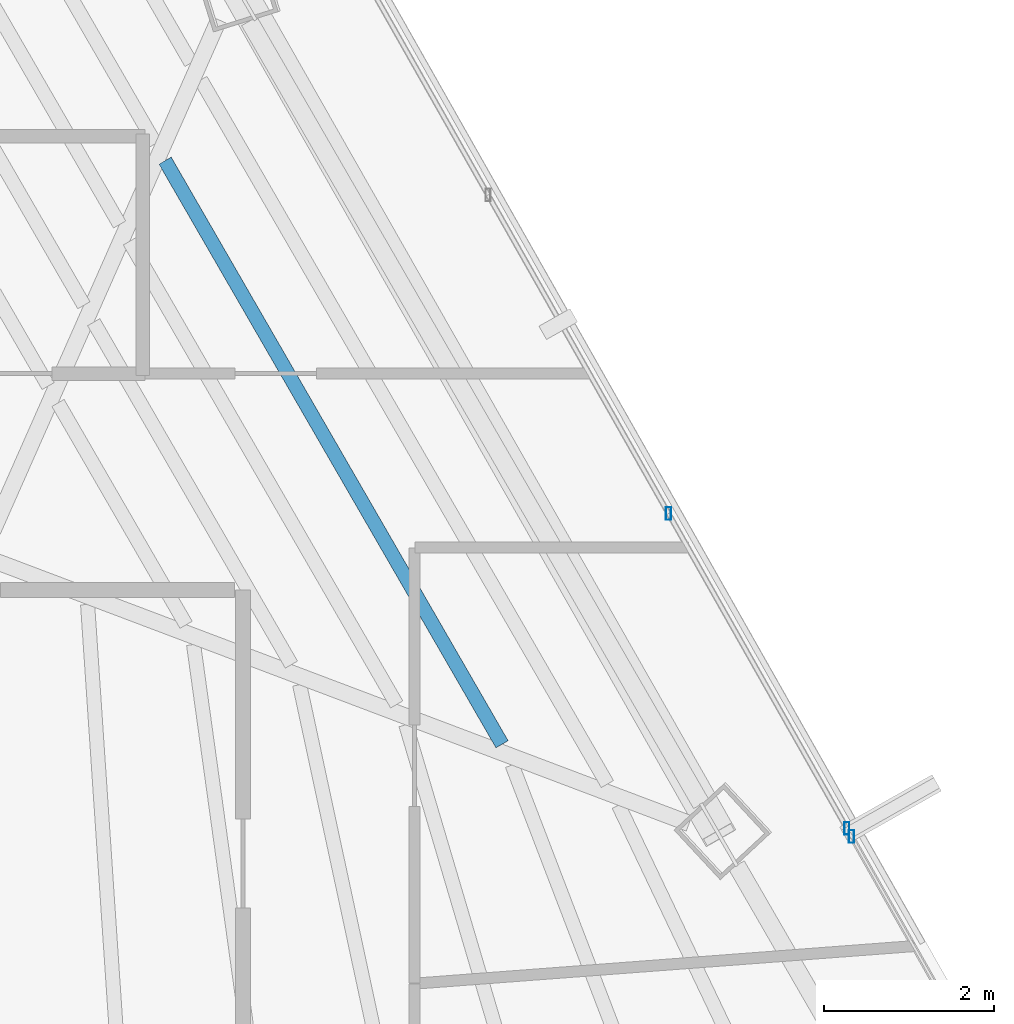
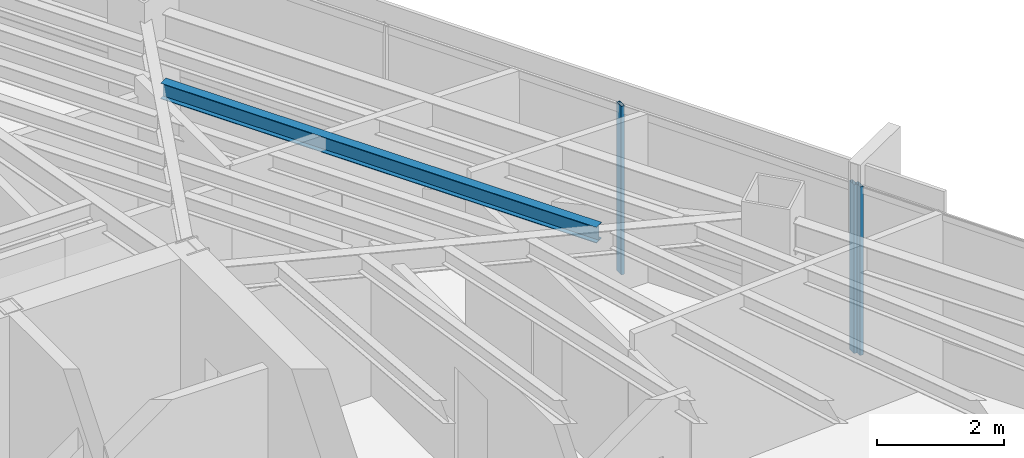
# One storey, part 26 of 40: 3 members, 1 beam, 2 elements without a shape of their own.
"""IFC4 building model written with IfcOpenShell, lengths in metres."""

from ifc_helpers import new_model, si_unit, direction, frame, origin, origin_2d, place, context, subcontext, project, spatial, hollow_rectangle, i_section, extrude, source, transform, mapped, material, material_profile, profile_set, type_object, type_shapes, element, aggregate, save


model = new_model("IFC4")

# Units and contexts
model_context = context("Model", 3, precision=1e-05, world=origin(), true_north=direction((0.0, 1.0)))
body_context = subcontext(model_context, "Body", "Model", "MODEL_VIEW")
ifc_project = project(units=[si_unit("LENGTHUNIT", "METRE"), si_unit("AREAUNIT", "SQUARE_METRE"), si_unit("VOLUMEUNIT", "CUBIC_METRE"), si_unit("PLANEANGLEUNIT", "RADIAN"), si_unit("MASSUNIT", "GRAM", prefix="KILO")], contexts=[model_context])

# Site, building, storey
site_placement = place(None, origin())
site = spatial("IfcSite", under=ifc_project, at=site_placement, CompositionType="ELEMENT")
building_placement = place(site_placement, origin())
building = spatial("IfcBuilding", under=site, at=building_placement, Name="Caelisora Broadcast Tower", CompositionType="ELEMENT")
storey_placement = place(building_placement, frame((0.0, 0.0, 216.89990234375)))
storey = spatial("IfcBuildingStorey", under=building, at=storey_placement, Name="L57", CompositionType="ELEMENT", Elevation=216.89990234375)

# Beam
ifc_material_1 = material(Name="Steel Grade 350 (AS/NZS 3679.1)", Category="steel")
ifc_material_profile_1 = material_profile(ifc_material_1, i_section(OverallWidth=0.166015625, OverallDepth=0.30712890625, WebThickness=0.006591796875, FlangeThickness=0.01171875, at=origin_2d()), Name="Steel Grade 350 (AS/NZS 3679.1)")
ifc_profile_set_1 = profile_set([ifc_material_profile_1], Name="Steel Grade 350 (AS/NZS 3679.1)")
beam_type = type_object("IfcBeamType", Name="SB03", PredefinedType="JOIST", material=ifc_profile_set_1)
shared_shape_1 = source(origin(), body_context, "Body", "SweptSolid", [
    extrude(i_section(OverallWidth=0.166015625, OverallDepth=0.30712890625, WebThickness=0.006591796875, FlangeThickness=0.01171875, at=origin_2d()), origin(), (0.0, 0.0, 1.0), 7.9423828125),
])
type_shapes(beam_type, [shared_shape_1])
beam_placement = place(storey_placement, frame((51.633056640625, 27.781494140625, 3.096435546875), z_axis=(-0.500007166863, 0.866021265955, 0.0), x_axis=(-0.866021265955, -0.500007166863, 0.0)))
element("IfcBeam", 1, at=beam_placement, inside=storey, type_object=beam_type, Name="L57 beam SB03", PredefinedType="JOIST", context=body_context, shape_type="MappedRepresentation", body=[
    mapped(shared_shape_1, transform((0.0, 0.0, 0.0), scale=1.0)),
])

# Curtain wall, members
ifc_material_2 = material(Name="Unitised Aluminium Insulated Shadow-Box Spandrel Curtain Wall", Category="aluminium")
curtain_wall_type_1 = type_object("IfcCurtainWallType", Name="CW-SP2", PredefinedType="NOTDEFINED", material=ifc_material_2)
curtain_wall_1_placement = place(storey_placement, origin())
curtain_wall_1 = element("IfcCurtainWall", 2, at=curtain_wall_1_placement, inside=storey, type_object=curtain_wall_type_1, Name="L57 curtain wall CW-SP2", PredefinedType="NOTDEFINED")
ifc_material_3 = material(Name="Aluminium 6063-T6 Anodised Terracotta Bronze", Category="aluminium")
ifc_material_profile_2 = material_profile(ifc_material_3, hollow_rectangle(XDim=0.06005859375, YDim=0.14990234375, WallThickness=0.00341796875, at=origin_2d()), Name="Aluminium 6063-T6 Anodised Terracotta Bronze")
ifc_profile_set_2 = profile_set([ifc_material_profile_2], Name="Aluminium 6063-T6 Anodised Terracotta Bronze")
member_type = type_object("IfcMemberType", Name="CWM-03", PredefinedType="MULLION", material=ifc_profile_set_2)
shared_shape_2 = source(origin(), body_context, "Body", "SweptSolid", [
    extrude(hollow_rectangle(XDim=0.06005859375, YDim=0.14990234375, WallThickness=0.00341796875, at=origin_2d()), origin(), (0.0, 0.0, 1.0), 3.25),
])
type_shapes(member_type, [shared_shape_2])
member_1_placement = place(storey_placement, frame((53.595458984375, 30.50048828125, 0.0), z_axis=(0.0, 0.0, 1.0), x_axis=(1.0, 0.0, 0.0)))
member_1 = element("IfcMember", 3, at=member_1_placement, type_object=member_type, Name="L57-CW-B02 mullion #2", PredefinedType="MULLION", context=body_context, shape_type="MappedRepresentation", body=[
    mapped(shared_shape_2, transform((0.0, 0.0, 0.0), scale=1.0)),
])
member_2_placement = place(storey_placement, frame((55.697509765625, 26.789794921875, 0.0), z_axis=(0.0, 0.0, 1.0), x_axis=(1.0, 0.0, 0.0)))
member_2 = element("IfcMember", 4, at=member_2_placement, type_object=member_type, Name="L57-CW-B02 mullion #3", PredefinedType="MULLION", context=body_context, shape_type="MappedRepresentation", body=[
    mapped(shared_shape_2, transform((0.0, 0.0, 0.0), scale=1.0)),
])
aggregate(curtain_wall_1, [member_1, member_2])

# Curtain wall, member
ifc_material_4 = material(Name="Unitised Aluminium and Low-E Glass Curtain Wall", Category="glass")
curtain_wall_type_2 = type_object("IfcCurtainWallType", Name="CW-Z4", PredefinedType="NOTDEFINED", material=ifc_material_4)
curtain_wall_2_placement = place(storey_placement, origin())
curtain_wall_2 = element("IfcCurtainWall", 5, at=curtain_wall_2_placement, inside=storey, type_object=curtain_wall_type_2, Name="L57 curtain wall CW-Z4", PredefinedType="NOTDEFINED")
member_3_placement = place(storey_placement, frame((55.751708984375, 26.694091796875, 0.0), z_axis=(0.0, 0.0, 1.0), x_axis=(1.0, 0.0, 0.0)))
member_3 = element("IfcMember", 6, at=member_3_placement, type_object=member_type, Name="L57-CW-B03 mullion #0", PredefinedType="MULLION", context=body_context, shape_type="MappedRepresentation", body=[
    mapped(shared_shape_2, transform((0.0, 0.0, 0.0), scale=1.0)),
])
aggregate(curtain_wall_2, [member_3])

save(model, "model.ifc")
